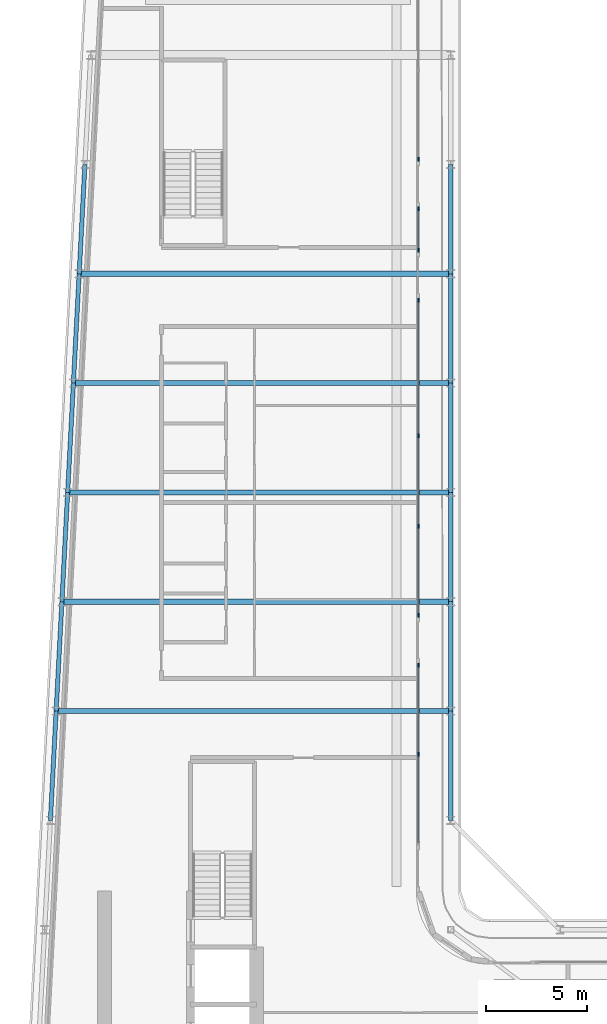
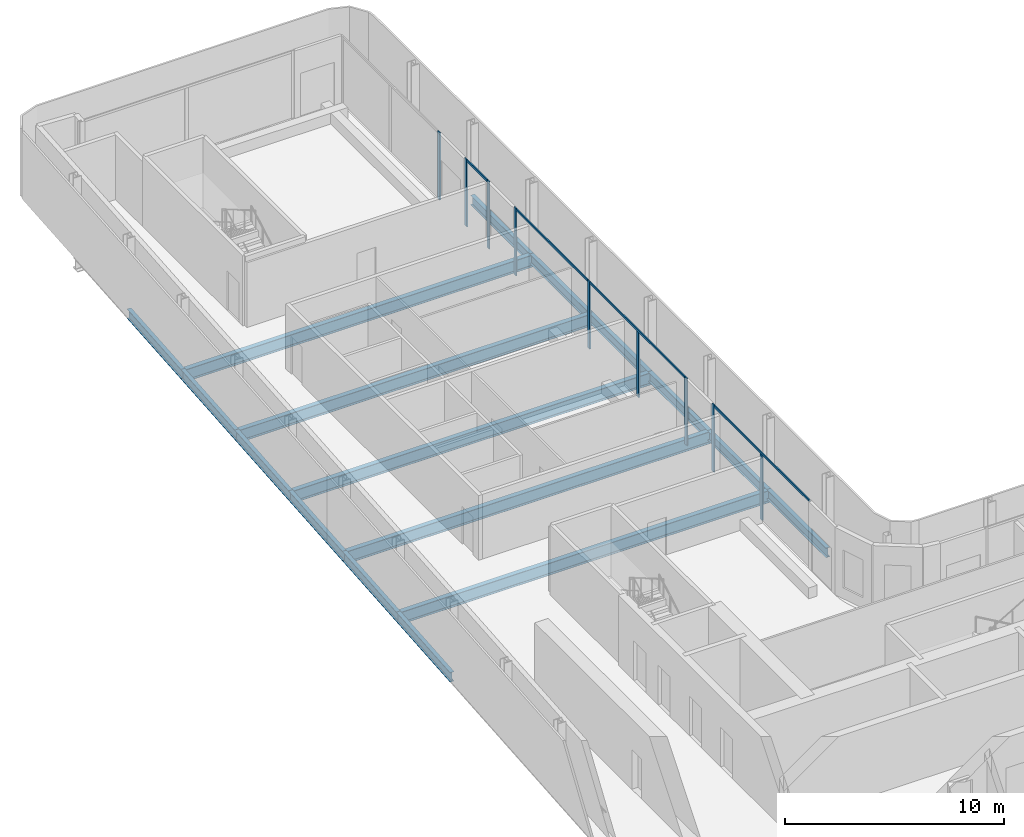
# One storey, part 6 of 21: 17 beams, 13 members, 5 elements without a shape of their own.
"""IFC4 building model written with IfcOpenShell, lengths in metres."""

from ifc_helpers import new_model, si_unit, direction, frame, origin, origin_2d, place, context, subcontext, project, spatial, rectangle, i_section, extrude, material, layer, layer_set, material_profile, profile_set, type_object, element, aggregate, save


model = new_model("IFC4")

# Units and contexts
model_context = context("Model", 3, precision=1e-05, world=origin(), true_north=direction((0.0, 1.0)))
body_context = subcontext(model_context, "Body", "Model", "MODEL_VIEW")
ifc_project = project(units=[si_unit("LENGTHUNIT", "METRE"), si_unit("AREAUNIT", "SQUARE_METRE"), si_unit("VOLUMEUNIT", "CUBIC_METRE"), si_unit("PLANEANGLEUNIT", "RADIAN"), si_unit("MASSUNIT", "GRAM", prefix="KILO")], contexts=[model_context])

# Site, building, storey
site_placement = place(None, origin())
site = spatial("IfcSite", under=ifc_project, at=site_placement, CompositionType="ELEMENT")
building_placement = place(site_placement, origin())
building = spatial("IfcBuilding", under=site, at=building_placement, Name="Kheshtan School and Residences Tower", CompositionType="ELEMENT")
storey_placement = place(building_placement, frame((0.0, 0.0, 231.800048828125)))
storey = spatial("IfcBuildingStorey", under=building, at=storey_placement, Name="L54", CompositionType="ELEMENT", Elevation=231.800048828125)

# Beams
ifc_material_1 = material(Name="Steel ASTM A992 Grade 50", Category="steel")
ifc_material_profile_1 = material_profile(ifc_material_1, i_section(OverallWidth=0.2529296875, OverallDepth=0.677978515625, WebThickness=0.01171875, FlangeThickness=0.016357421875, FilletRadius=0.0146484375, at=origin_2d()), Name="W690x125")
ifc_profile_set_1 = profile_set([ifc_material_profile_1], Name="Steel ASTM A992 Grade 50")
beam_type_1 = type_object("IfcBeamType", Name="Beam FB6 W690x125 ASTM A992 Grade 50", PredefinedType="BEAM", material=ifc_profile_set_1)
beam_1_placement = place(storey_placement, frame((47.60009765625, 78.0, -0.489013671875), z_axis=(-1.0, 0.0, 0.0), x_axis=(0.0, -1.0, 0.0)))
element("IfcBeam", 1, at=beam_1_placement, inside=storey, type_object=beam_type_1, Name="Floor beam C089", PredefinedType="BEAM", context=body_context, shape_type="SweptSolid", body=[
    extrude(i_section(OverallWidth=0.2529296875, OverallDepth=0.677978515625, WebThickness=0.01171875, FlangeThickness=0.016357421875, FilletRadius=0.0146484375, at=origin_2d()), origin(), (0.0, 0.0, 1.0), 18.357177734375),
])
beam_2_placement = place(storey_placement, frame((47.60009765625, 67.199951171875, -0.489013671875), z_axis=(-1.0, 0.0, 0.0), x_axis=(0.0, -1.0, 0.0)))
element("IfcBeam", 2, at=beam_2_placement, inside=storey, type_object=beam_type_1, Name="Floor beam C085", PredefinedType="BEAM", context=body_context, shape_type="SweptSolid", body=[
    extrude(i_section(OverallWidth=0.2529296875, OverallDepth=0.677978515625, WebThickness=0.01171875, FlangeThickness=0.016357421875, FilletRadius=0.0146484375, at=origin_2d()), origin(), (0.0, 0.0, 1.0), 18.926025390625),
])
beam_3_placement = place(storey_placement, frame((47.60009765625, 56.39990234375, -0.489013671875), z_axis=(-1.0, 0.0, 0.0), x_axis=(0.0, -1.0, 0.0)))
element("IfcBeam", 3, at=beam_3_placement, inside=storey, type_object=beam_type_1, Name="Floor beam C081", PredefinedType="BEAM", context=body_context, shape_type="SweptSolid", body=[
    extrude(i_section(OverallWidth=0.2529296875, OverallDepth=0.677978515625, WebThickness=0.01171875, FlangeThickness=0.016357421875, FilletRadius=0.0146484375, at=origin_2d()), origin(), (0.0, 0.0, 1.0), 19.494140625),
])
beam_4_placement = place(storey_placement, frame((28.389892578125, 61.800048828125, -0.489013671875), z_axis=(1.0, 0.0, 0.0), x_axis=(0.0, 1.0, 0.0)))
element("IfcBeam", 4, at=beam_4_placement, inside=storey, type_object=beam_type_1, Name="Floor beam C082", PredefinedType="BEAM", context=body_context, shape_type="SweptSolid", body=[
    extrude(i_section(OverallWidth=0.2529296875, OverallDepth=0.677978515625, WebThickness=0.01171875, FlangeThickness=0.016357421875, FilletRadius=0.0146484375, at=origin_2d()), origin(), (0.0, 0.0, 1.0), 19.210205078125),
])
beam_5_placement = place(storey_placement, frame((28.9580078125, 72.60009765625, -0.489013671875), z_axis=(1.0, 0.0, 0.0), x_axis=(0.0, 1.0, 0.0)))
element("IfcBeam", 5, at=beam_5_placement, inside=storey, type_object=beam_type_1, Name="Floor beam C086", PredefinedType="BEAM", context=body_context, shape_type="SweptSolid", body=[
    extrude(i_section(OverallWidth=0.2529296875, OverallDepth=0.677978515625, WebThickness=0.01171875, FlangeThickness=0.016357421875, FilletRadius=0.0146484375, at=origin_2d()), origin(), (0.0, 0.0, 1.0), 18.64208984375),
])
ifc_material_profile_2 = material_profile(ifc_material_1, i_section(OverallWidth=0.208984375, OverallDepth=0.532958984375, WebThickness=0.01025390625, FlangeThickness=0.015625, FilletRadius=0.013916015625, at=origin_2d()), Name="W530x92")
ifc_profile_set_2 = profile_set([ifc_material_profile_2], Name="Steel ASTM A992 Grade 50")
beam_type_2 = type_object("IfcBeamType", Name="Beam SP3 W530x92 ASTM A992 Grade 50", PredefinedType="BEAM", material=ifc_profile_set_2)
for number, where, z_axis, x_axis, name in (
    (6, (47.60009765625, 83.39990234375, -0.41650390625), (0.0, -1.0, 0.0), (1.0, 0.0, 0.0), "Spandrel beam C091-C089"),
    (7, (47.60009765625, 78.0, -0.41650390625), (0.0, -1.0, 0.0), (1.0, 0.0, 0.0), "Spandrel beam C089-C087"),
):
    element("IfcBeam", number, at=place(storey_placement, frame(where, z_axis=z_axis, x_axis=x_axis)), inside=storey, type_object=beam_type_2, Name=name, PredefinedType="BEAM", context=body_context, shape_type="SweptSolid", body=[
        extrude(i_section(OverallWidth=0.208984375, OverallDepth=0.532958984375, WebThickness=0.01025390625, FlangeThickness=0.015625, FilletRadius=0.013916015625, at=origin_2d()), origin(), (0.0, 0.0, 1.0), 5.39990234375),
    ])
beam_6_placement = place(storey_placement, frame((47.60009765625, 72.60009765625, -0.41650390625), z_axis=(0.0, -1.0, 0.0), x_axis=(1.0, 0.0, 0.0)))
element("IfcBeam", 8, at=beam_6_placement, inside=storey, type_object=beam_type_2, Name="Spandrel beam C087-C085", PredefinedType="BEAM", context=body_context, shape_type="SweptSolid", body=[
    extrude(i_section(OverallWidth=0.208984375, OverallDepth=0.532958984375, WebThickness=0.01025390625, FlangeThickness=0.015625, FilletRadius=0.013916015625, at=origin_2d()), origin(), (0.0, 0.0, 1.0), 5.400146484375),
])
beam_7_placement = place(storey_placement, frame((47.60009765625, 67.199951171875, -0.41650390625), z_axis=(0.0, -1.0, 0.0), x_axis=(1.0, 0.0, 0.0)))
element("IfcBeam", 9, at=beam_7_placement, inside=storey, type_object=beam_type_2, Name="Spandrel beam C085-C083", PredefinedType="BEAM", context=body_context, shape_type="SweptSolid", body=[
    extrude(i_section(OverallWidth=0.208984375, OverallDepth=0.532958984375, WebThickness=0.01025390625, FlangeThickness=0.015625, FilletRadius=0.013916015625, at=origin_2d()), origin(), (0.0, 0.0, 1.0), 5.39990234375),
])
beam_8_placement = place(storey_placement, frame((47.60009765625, 61.800048828125, -0.41650390625), z_axis=(0.0, -1.0, 0.0), x_axis=(1.0, 0.0, 0.0)))
element("IfcBeam", 10, at=beam_8_placement, inside=storey, type_object=beam_type_2, Name="Spandrel beam C083-C081", PredefinedType="BEAM", context=body_context, shape_type="SweptSolid", body=[
    extrude(i_section(OverallWidth=0.208984375, OverallDepth=0.532958984375, WebThickness=0.01025390625, FlangeThickness=0.015625, FilletRadius=0.013916015625, at=origin_2d()), origin(), (0.0, 0.0, 1.0), 5.400146484375),
])
beam_9_placement = place(storey_placement, frame((47.60009765625, 56.39990234375, -0.41650390625), z_axis=(0.0, -1.0, 0.0), x_axis=(1.0, 0.0, 0.0)))
element("IfcBeam", 11, at=beam_9_placement, inside=storey, type_object=beam_type_2, Name="Spandrel beam C081-C079", PredefinedType="BEAM", context=body_context, shape_type="SweptSolid", body=[
    extrude(i_section(OverallWidth=0.208984375, OverallDepth=0.532958984375, WebThickness=0.01025390625, FlangeThickness=0.015625, FilletRadius=0.013916015625, at=origin_2d()), origin(), (0.0, 0.0, 1.0), 5.39990234375),
])
beam_10_placement = place(storey_placement, frame((27.822021484375, 51.0, -0.41650390625), z_axis=(0.05250906864, 0.998620447272, 0.0), x_axis=(-0.998620447272, 0.05250906864, 0.0)))
element("IfcBeam", 12, at=beam_10_placement, inside=storey, type_object=beam_type_2, Name="Spandrel beam C078-C080", PredefinedType="BEAM", context=body_context, shape_type="SweptSolid", body=[
    extrude(i_section(OverallWidth=0.208984375, OverallDepth=0.532958984375, WebThickness=0.01025390625, FlangeThickness=0.015625, FilletRadius=0.013916015625, at=origin_2d()), origin(), (0.0, 0.0, 1.0), 5.407470703125),
])
beam_11_placement = place(storey_placement, frame((28.10595703125, 56.39990234375, -0.41650390625), z_axis=(0.05250670125, 0.998620571751, 0.0), x_axis=(-0.998620571751, 0.05250670125, 0.0)))
element("IfcBeam", 13, at=beam_11_placement, inside=storey, type_object=beam_type_2, Name="Spandrel beam C080-C082", PredefinedType="BEAM", context=body_context, shape_type="SweptSolid", body=[
    extrude(i_section(OverallWidth=0.208984375, OverallDepth=0.532958984375, WebThickness=0.01025390625, FlangeThickness=0.015625, FilletRadius=0.013916015625, at=origin_2d()), origin(), (0.0, 0.0, 1.0), 5.40771484375),
])
beam_12_placement = place(storey_placement, frame((28.389892578125, 61.800048828125, -0.41650390625), z_axis=(0.052554093665, 0.998618078766, 0.0), x_axis=(-0.998618078766, 0.052554093665, 0.0)))
element("IfcBeam", 14, at=beam_12_placement, inside=storey, type_object=beam_type_2, Name="Spandrel beam C082-C084", PredefinedType="BEAM", context=body_context, shape_type="SweptSolid", body=[
    extrude(i_section(OverallWidth=0.208984375, OverallDepth=0.532958984375, WebThickness=0.01025390625, FlangeThickness=0.015625, FilletRadius=0.013916015625, at=origin_2d()), origin(), (0.0, 0.0, 1.0), 5.407470703125),
])
beam_13_placement = place(storey_placement, frame((28.674072265625, 67.199951171875, -0.41650390625), z_axis=(0.05250670125, 0.998620571751, 0.0), x_axis=(-0.998620571751, 0.05250670125, 0.0)))
element("IfcBeam", 15, at=beam_13_placement, inside=storey, type_object=beam_type_2, Name="Spandrel beam C084-C086", PredefinedType="BEAM", context=body_context, shape_type="SweptSolid", body=[
    extrude(i_section(OverallWidth=0.208984375, OverallDepth=0.532958984375, WebThickness=0.01025390625, FlangeThickness=0.015625, FilletRadius=0.013916015625, at=origin_2d()), origin(), (0.0, 0.0, 1.0), 5.40771484375),
])
for number, where, z_axis, x_axis, name in (
    (16, (28.9580078125, 72.60009765625, -0.41650390625), (0.052689166816, 0.998610961136, 0.0), (-0.998610961136, 0.052689166816, 0.0), "Spandrel beam C086-C088"),
    (17, (29.242919921875, 78.0, -0.41650390625), (0.052554093665, 0.998618078766, 0.0), (-0.998618078766, 0.052554093665, 0.0), "Spandrel beam C088-C090"),
):
    element("IfcBeam", number, at=place(storey_placement, frame(where, z_axis=z_axis, x_axis=x_axis)), inside=storey, type_object=beam_type_2, Name=name, PredefinedType="BEAM", context=body_context, shape_type="SweptSolid", body=[
        extrude(i_section(OverallWidth=0.208984375, OverallDepth=0.532958984375, WebThickness=0.01025390625, FlangeThickness=0.015625, FilletRadius=0.013916015625, at=origin_2d()), origin(), (0.0, 0.0, 1.0), 5.407470703125),
    ])

# Curtain wall, member
ifc_material_2 = material(Name="Clear low-e glass in thermally broken aluminium frame", Category="aluminium")
ifc_layer = layer(ifc_material_2, 0.199951171875)
ifc_layer_set = layer_set([ifc_layer], Name="Curtain wall CW-L")
curtain_wall_type = type_object("IfcCurtainWallType", Name="Curtain wall CW-L", PredefinedType="NOTDEFINED", material=ifc_layer_set)
curtain_wall_1_placement = place(storey_placement, origin())
curtain_wall_1 = element("IfcCurtainWall", 18, at=curtain_wall_1_placement, inside=storey, type_object=curtain_wall_type, Name="Curtain wall CWL4b", PredefinedType="NOTDEFINED")
ifc_material_3 = material(Name="Thermally broken aluminium, dark bronze anodised", Category="aluminium")
ifc_material_profile_3 = material_profile(ifc_material_3, rectangle(XDim=0.06005859375, YDim=0.199951171875, at=origin_2d()), Name="CW-L mullion 60x200")
ifc_profile_set_3 = profile_set([ifc_material_profile_3], Name="Thermally broken aluminium, dark bronze anodised")
member_type_1 = type_object("IfcMemberType", Name="CW-L mullion 60x200", PredefinedType="MULLION", material=ifc_profile_set_3)
member_1_placement = place(storey_placement, frame((46.0, 83.66259765625, 0.0), z_axis=(0.0, 0.0, 1.0), x_axis=(1.0, 0.0, 0.0)))
member_1 = element("IfcMember", 19, at=member_1_placement, type_object=member_type_1, Name="CWL4b mullion 3", PredefinedType="MULLION", context=body_context, shape_type="SweptSolid", body=[
    extrude(rectangle(XDim=0.06005859375, YDim=0.199951171875, at=origin_2d()), origin(), (0.0, 0.0, 1.0), 3.75),
])
aggregate(curtain_wall_1, [member_1])

# Curtain wall, members
curtain_wall_2_placement = place(storey_placement, origin())
curtain_wall_2 = element("IfcCurtainWall", 20, at=curtain_wall_2_placement, inside=storey, type_object=curtain_wall_type, Name="Curtain wall CWL4c", PredefinedType="NOTDEFINED")
member_2_placement = place(storey_placement, frame((46.0, 81.202392578125, 0.0), z_axis=(0.0, 0.0, 1.0), x_axis=(1.0, 0.0, 0.0)))
member_2 = element("IfcMember", 21, at=member_2_placement, type_object=member_type_1, Name="CWL4c mullion 1", PredefinedType="MULLION", context=body_context, shape_type="SweptSolid", body=[
    extrude(rectangle(XDim=0.06005859375, YDim=0.199951171875, at=origin_2d()), origin(), (0.0, 0.0, 1.0), 3.75),
])
member_3_placement = place(storey_placement, frame((46.0, 79.16259765625, 0.0), z_axis=(0.0, 0.0, 1.0), x_axis=(1.0, 0.0, 0.0)))
member_3 = element("IfcMember", 22, at=member_3_placement, type_object=member_type_1, Name="CWL4c mullion 2", PredefinedType="MULLION", context=body_context, shape_type="SweptSolid", body=[
    extrude(rectangle(XDim=0.06005859375, YDim=0.199951171875, at=origin_2d()), origin(), (0.0, 0.0, 1.0), 3.75),
])

curtain_wall_3_placement = place(storey_placement, origin())
curtain_wall_3 = element("IfcCurtainWall", 23, at=curtain_wall_3_placement, inside=storey, type_object=curtain_wall_type, Name="Curtain wall CWL4d", PredefinedType="NOTDEFINED")
member_4_placement = place(storey_placement, frame((46.0, 76.702392578125, 0.0), z_axis=(0.0, 0.0, 1.0), x_axis=(1.0, 0.0, 0.0)))
member_4 = element("IfcMember", 24, at=member_4_placement, type_object=member_type_1, Name="CWL4d mullion 1", PredefinedType="MULLION", context=body_context, shape_type="SweptSolid", body=[
    extrude(rectangle(XDim=0.06005859375, YDim=0.199951171875, at=origin_2d()), origin(), (0.0, 0.0, 1.0), 3.75),
])
member_5_placement = place(storey_placement, frame((46.0, 69.9951171875, 0.0), z_axis=(0.0, 0.0, 1.0), x_axis=(1.0, 0.0, 0.0)))
member_5 = element("IfcMember", 25, at=member_5_placement, type_object=member_type_1, Name="CWL4d mullion 2", PredefinedType="MULLION", context=body_context, shape_type="SweptSolid", body=[
    extrude(rectangle(XDim=0.06005859375, YDim=0.199951171875, at=origin_2d()), origin(), (0.0, 0.0, 1.0), 3.75),
])

curtain_wall_4_placement = place(storey_placement, origin())
curtain_wall_4 = element("IfcCurtainWall", 26, at=curtain_wall_4_placement, inside=storey, type_object=curtain_wall_type, Name="Curtain wall CWL4b", PredefinedType="NOTDEFINED")
member_6_placement = place(storey_placement, frame((46.0, 65.53125, 0.0), z_axis=(0.0, 0.0, 1.0), x_axis=(1.0, 0.0, 0.0)))
member_6 = element("IfcMember", 27, at=member_6_placement, type_object=member_type_1, Name="CWL4b mullion 2", PredefinedType="MULLION", context=body_context, shape_type="SweptSolid", body=[
    extrude(rectangle(XDim=0.06005859375, YDim=0.199951171875, at=origin_2d()), origin(), (0.0, 0.0, 1.0), 3.6298828125),
])
member_7_placement = place(storey_placement, frame((46.0, 61.12744140625, 0.0), z_axis=(0.0, 0.0, 1.0), x_axis=(1.0, 0.0, 0.0)))
member_7 = element("IfcMember", 28, at=member_7_placement, type_object=member_type_1, Name="CWL4b mullion 3", PredefinedType="MULLION", context=body_context, shape_type="SweptSolid", body=[
    extrude(rectangle(XDim=0.06005859375, YDim=0.199951171875, at=origin_2d()), origin(), (0.0, 0.0, 1.0), 3.75),
])

curtain_wall_5_placement = place(storey_placement, origin())
curtain_wall_5 = element("IfcCurtainWall", 29, at=curtain_wall_5_placement, inside=storey, type_object=curtain_wall_type, Name="Curtain wall CWL4b", PredefinedType="NOTDEFINED")
member_8_placement = place(storey_placement, frame((46.0, 58.66748046875, 0.0), z_axis=(0.0, 0.0, 1.0), x_axis=(1.0, 0.0, 0.0)))
member_8 = element("IfcMember", 30, at=member_8_placement, type_object=member_type_1, Name="CWL4b mullion 1", PredefinedType="MULLION", context=body_context, shape_type="SweptSolid", body=[
    extrude(rectangle(XDim=0.06005859375, YDim=0.199951171875, at=origin_2d()), origin(), (0.0, 0.0, 1.0), 3.75),
])
member_9_placement = place(storey_placement, frame((46.0, 54.263671875, 0.0), z_axis=(0.0, 0.0, 1.0), x_axis=(1.0, 0.0, 0.0)))
member_9 = element("IfcMember", 31, at=member_9_placement, type_object=member_type_1, Name="CWL4b mullion 2", PredefinedType="MULLION", context=body_context, shape_type="SweptSolid", body=[
    extrude(rectangle(XDim=0.06005859375, YDim=0.199951171875, at=origin_2d()), origin(), (0.0, 0.0, 1.0), 3.6298828125),
])

# Member
ifc_material_profile_4 = material_profile(ifc_material_3, rectangle(XDim=0.06005859375, YDim=0.1201171875, at=origin_2d()), Name="CW-L transom 60x120")
ifc_profile_set_4 = profile_set([ifc_material_profile_4], Name="Thermally broken aluminium, dark bronze anodised")
member_type_2 = type_object("IfcMemberType", Name="CW-L transom 60x120", PredefinedType="USERDEFINED", material=ifc_profile_set_4)
member_10_placement = place(storey_placement, frame((46.0, 81.172607421875, 3.68994140625), z_axis=(0.0, -1.0, 0.0), x_axis=(1.0, 0.0, 0.0)))
member_10 = element("IfcMember", 32, at=member_10_placement, type_object=member_type_2, Name="CWL4c transom 1", ObjectType="TRANSOM", PredefinedType="USERDEFINED", context=body_context, shape_type="SweptSolid", body=[
    extrude(rectangle(XDim=0.06005859375, YDim=0.1201171875, at=origin_2d()), origin(), (0.0, 0.0, 1.0), 1.980224609375),
])

aggregate(curtain_wall_2, [member_2, member_3, member_10])

member_11_placement = place(storey_placement, frame((46.0, 76.672607421875, 3.68994140625), z_axis=(0.0, -1.0, 0.0), x_axis=(1.0, 0.0, 0.0)))
member_11 = element("IfcMember", 33, at=member_11_placement, type_object=member_type_2, Name="CWL4d transom 1", ObjectType="TRANSOM", PredefinedType="USERDEFINED", context=body_context, shape_type="SweptSolid", body=[
    extrude(rectangle(XDim=0.06005859375, YDim=0.1201171875, at=origin_2d()), origin(), (0.0, 0.0, 1.0), 6.647705078125),
])

aggregate(curtain_wall_3, [member_4, member_5, member_11])

member_12_placement = place(storey_placement, frame((46.0, 69.965087890625, 3.68994140625), z_axis=(0.0, -1.0, 0.0), x_axis=(1.0, 0.0, 0.0)))
member_12 = element("IfcMember", 34, at=member_12_placement, type_object=member_type_2, Name="CWL4b transom 1", ObjectType="TRANSOM", PredefinedType="USERDEFINED", context=body_context, shape_type="SweptSolid", body=[
    extrude(rectangle(XDim=0.06005859375, YDim=0.1201171875, at=origin_2d()), origin(), (0.0, 0.0, 1.0), 8.8076171875),
])

aggregate(curtain_wall_4, [member_6, member_7, member_12])

member_13_placement = place(storey_placement, frame((46.0, 58.637451171875, 3.68994140625), z_axis=(0.0, -1.0, 0.0), x_axis=(1.0, 0.0, 0.0)))
member_13 = element("IfcMember", 35, at=member_13_placement, type_object=member_type_2, Name="CWL4b transom 1", ObjectType="TRANSOM", PredefinedType="USERDEFINED", context=body_context, shape_type="SweptSolid", body=[
    extrude(rectangle(XDim=0.06005859375, YDim=0.1201171875, at=origin_2d()), origin(), (0.0, 0.0, 1.0), 8.74755859375),
])

aggregate(curtain_wall_5, [member_8, member_9, member_13])

save(model, "model.ifc")
